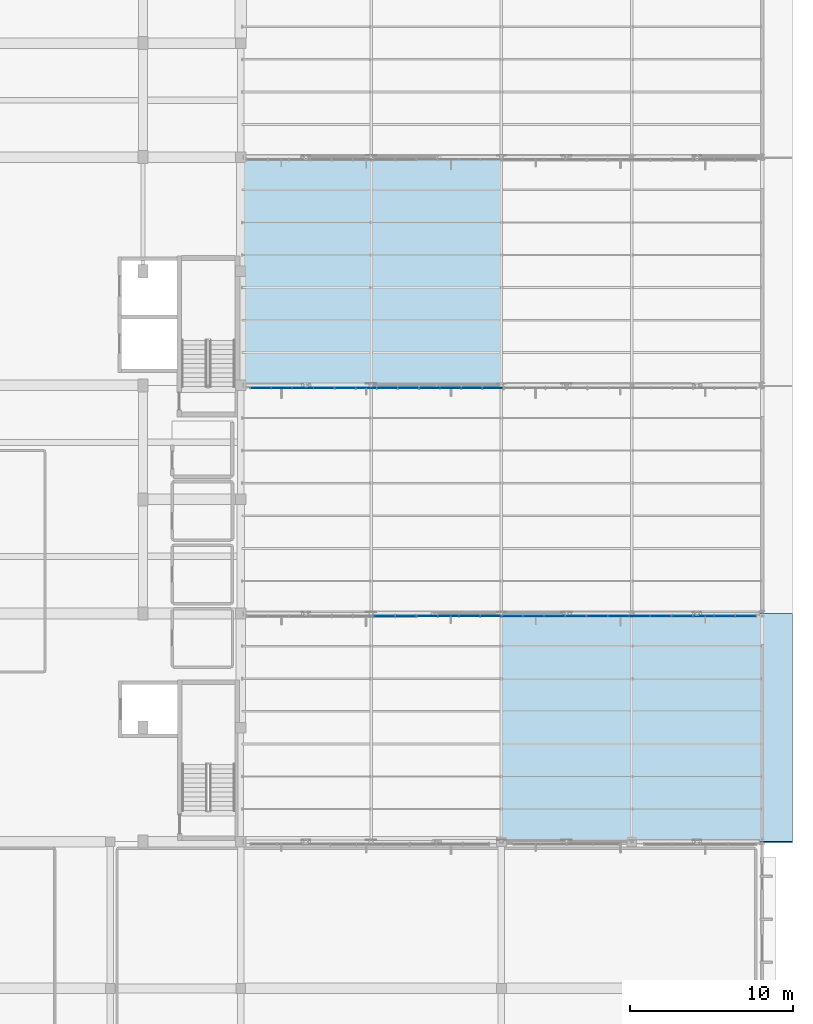
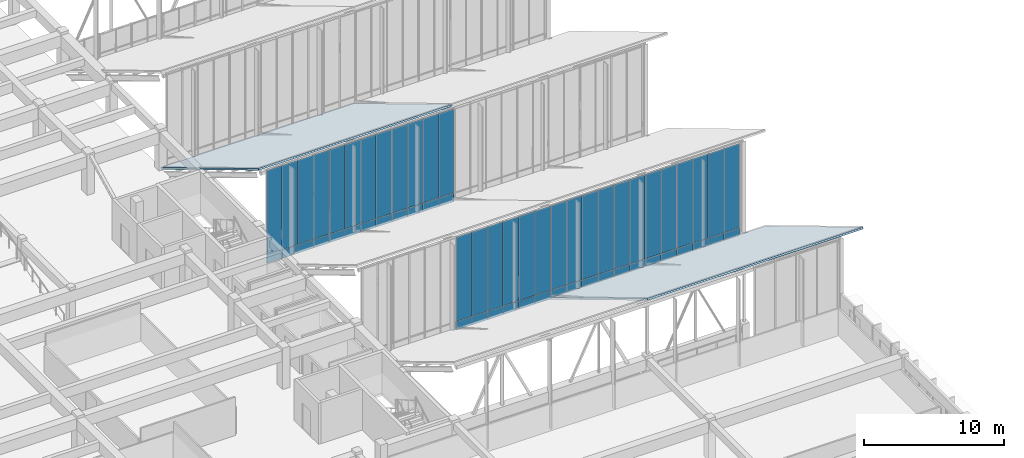
# One storey, part 79 of 155: 60 plates, 2 slabs, 10 elements without a shape of their own.
"""IFC4 building model written with IfcOpenShell, lengths in metres."""

from ifc_helpers import new_model, si_unit, direction, frame, origin, origin_2d, place, context, subcontext, project, spatial, polyline, rectangle, outline, extrude, material, layer, layer_set, type_object, element, aggregate, save


model = new_model("IFC4")

# Units and contexts
model_context = context("Model", 3, precision=1e-05, world=origin(), true_north=direction((0.0, 1.0)))
body_context = subcontext(model_context, "Body", "Model", "MODEL_VIEW")
ifc_project = project(units=[si_unit("LENGTHUNIT", "METRE"), si_unit("AREAUNIT", "SQUARE_METRE"), si_unit("VOLUMEUNIT", "CUBIC_METRE"), si_unit("PLANEANGLEUNIT", "RADIAN"), si_unit("MASSUNIT", "GRAM", prefix="KILO")], contexts=[model_context])

# Site, building, storey
site_placement = place(None, origin())
site = spatial("IfcSite", under=ifc_project, at=site_placement, CompositionType="ELEMENT")
building_placement = place(site_placement, origin())
building = spatial("IfcBuilding", under=site, at=building_placement, Name="Larkveld Mobility Hub", CompositionType="ELEMENT")
storey_placement = place(building_placement, frame((0.0, 0.0, 8.39990234375)))
storey = spatial("IfcBuildingStorey", under=building, at=storey_placement, Name="L02", CompositionType="ELEMENT", Elevation=8.39990234375)

# Curtain wall, plates
ifc_material_1 = material(Name="Anodised aluminium 6063-T6", Category="aluminium")
curtain_wall_type_1 = type_object("IfcCurtainWallType", Name="CW-SYS-04", PredefinedType="NOTDEFINED", material=ifc_material_1)
curtain_wall_1_placement = place(storey_placement, origin())
curtain_wall_1 = element("IfcCurtainWall", 1, at=curtain_wall_1_placement, inside=storey, type_object=curtain_wall_type_1, Name="Sawtooth South-Light Clerestory B2 CW-016", PredefinedType="NOTDEFINED")
ifc_material_2 = material(Name="Low-E laminated solar-control double glazing", Category="glass")
ifc_layer_1 = layer(ifc_material_2, 0.028076171875, Name="Low-E laminated solar-control double glazing", Category="glass")
ifc_layer_set_1 = layer_set([ifc_layer_1], Name="Low-E laminated solar-control double glazing")
plate_type_1 = type_object("IfcPlateType", Name="CW-PNL-GL01", PredefinedType="CURTAIN_PANEL", material=ifc_layer_set_1)
plate_1_placement = place(storey_placement, frame((163.445068359375, 41.844970703125, 0.75), z_axis=(0.0, 0.0, 1.0), x_axis=(1.0, 0.0, 0.0)))
plate_1 = element("IfcPlate", 2, at=plate_1_placement, type_object=plate_type_1, Name="CW04 panel 1", PredefinedType="CURTAIN_PANEL", context=body_context, shape_type="SweptSolid", body=[
    extrude(rectangle(XDim=1.27392578125, YDim=0.028076171875, at=origin_2d()), origin(), (0.0, 0.0, 1.0), 7.367919921875),
])
plate_2_placement = place(storey_placement, frame((164.739013671875, 41.844970703125, 0.75), z_axis=(0.0, 0.0, 1.0), x_axis=(1.0, 0.0, 0.0)))
plate_2 = element("IfcPlate", 3, at=plate_2_placement, type_object=plate_type_1, Name="CW04 panel 2", PredefinedType="CURTAIN_PANEL", context=body_context, shape_type="SweptSolid", body=[
    extrude(rectangle(XDim=1.2939453125, YDim=0.028076171875, at=origin_2d()), origin(), (0.0, 0.0, 1.0), 7.367919921875),
])
plate_3_placement = place(storey_placement, frame((166.04296875, 41.844970703125, 0.75), z_axis=(0.0, 0.0, 1.0), x_axis=(1.0, 0.0, 0.0)))
plate_3 = element("IfcPlate", 4, at=plate_3_placement, type_object=plate_type_1, Name="CW04 panel 3", PredefinedType="CURTAIN_PANEL", context=body_context, shape_type="SweptSolid", body=[
    extrude(rectangle(XDim=1.2939453125, YDim=0.028076171875, at=origin_2d()), origin(), (0.0, 0.0, 1.0), 7.367919921875),
])
plate_4_placement = place(storey_placement, frame((167.337890625, 41.844970703125, 0.75), z_axis=(0.0, 0.0, 1.0), x_axis=(1.0, 0.0, 0.0)))
plate_4 = element("IfcPlate", 5, at=plate_4_placement, type_object=plate_type_1, Name="CW04 panel 4", PredefinedType="CURTAIN_PANEL", context=body_context, shape_type="SweptSolid", body=[
    extrude(rectangle(XDim=1.27392578125, YDim=0.028076171875, at=origin_2d()), origin(), (0.0, 0.0, 1.0), 7.367919921875),
])

curtain_wall_type_2 = type_object("IfcCurtainWallType", Name="CW-SYS-07", PredefinedType="NOTDEFINED", material=ifc_material_1)
curtain_wall_2_placement = place(storey_placement, origin())
curtain_wall_2 = element("IfcCurtainWall", 6, at=curtain_wall_2_placement, inside=storey, type_object=curtain_wall_type_2, Name="Sawtooth South-Light Clerestory B2 CW-019", PredefinedType="NOTDEFINED")
plate_5_placement = place(storey_placement, frame((179.094970703125, 41.844970703125, 0.75), z_axis=(0.0, 0.0, 1.0), x_axis=(1.0, 0.0, 0.0)))
plate_5 = element("IfcPlate", 7, at=plate_5_placement, type_object=plate_type_1, Name="CW07 panel 1", PredefinedType="CURTAIN_PANEL", context=body_context, shape_type="SweptSolid", body=[
    extrude(rectangle(XDim=1.27392578125, YDim=0.028076171875, at=origin_2d()), origin(), (0.0, 0.0, 1.0), 7.367919921875),
])
plate_6_placement = place(storey_placement, frame((180.388916015625, 41.844970703125, 0.75), z_axis=(0.0, 0.0, 1.0), x_axis=(1.0, 0.0, 0.0)))
plate_6 = element("IfcPlate", 8, at=plate_6_placement, type_object=plate_type_1, Name="CW07 panel 2", PredefinedType="CURTAIN_PANEL", context=body_context, shape_type="SweptSolid", body=[
    extrude(rectangle(XDim=1.2939453125, YDim=0.028076171875, at=origin_2d()), origin(), (0.0, 0.0, 1.0), 7.367919921875),
])
plate_7_placement = place(storey_placement, frame((181.694091796875, 41.844970703125, 0.75), z_axis=(0.0, 0.0, 1.0), x_axis=(1.0, 0.0, 0.0)))
plate_7 = element("IfcPlate", 9, at=plate_7_placement, type_object=plate_type_1, Name="CW07 panel 3", PredefinedType="CURTAIN_PANEL", context=body_context, shape_type="SweptSolid", body=[
    extrude(rectangle(XDim=1.2939453125, YDim=0.028076171875, at=origin_2d()), origin(), (0.0, 0.0, 1.0), 7.367919921875),
])
plate_8_placement = place(storey_placement, frame((182.988037109375, 41.844970703125, 0.75), z_axis=(0.0, 0.0, 1.0), x_axis=(1.0, 0.0, 0.0)))
plate_8 = element("IfcPlate", 10, at=plate_8_placement, type_object=plate_type_1, Name="CW07 panel 4", PredefinedType="CURTAIN_PANEL", context=body_context, shape_type="SweptSolid", body=[
    extrude(rectangle(XDim=1.27392578125, YDim=0.028076171875, at=origin_2d()), origin(), (0.0, 0.0, 1.0), 7.367919921875),
])

curtain_wall_type_3 = type_object("IfcCurtainWallType", Name="CW-SYS-10", PredefinedType="NOTDEFINED", material=ifc_material_1)
curtain_wall_3_placement = place(storey_placement, origin())
curtain_wall_3 = element("IfcCurtainWall", 11, at=curtain_wall_3_placement, inside=storey, type_object=curtain_wall_type_3, Name="Sawtooth South-Light Clerestory B3 CW-022", PredefinedType="NOTDEFINED")
plate_9_placement = place(storey_placement, frame((163.594970703125, 55.844970703125, 0.75), z_axis=(0.0, 0.0, 1.0), x_axis=(1.0, 0.0, 0.0)))
plate_9 = element("IfcPlate", 12, at=plate_9_placement, type_object=plate_type_1, Name="CW10 panel 1", PredefinedType="CURTAIN_PANEL", context=body_context, shape_type="SweptSolid", body=[
    extrude(rectangle(XDim=1.264892578125, YDim=0.028076171875, at=origin_2d()), origin(), (0.0, 0.0, 1.0), 7.367919921875),
])
plate_10_placement = place(storey_placement, frame((164.87890625, 55.844970703125, 0.75), z_axis=(0.0, 0.0, 1.0), x_axis=(1.0, 0.0, 0.0)))
plate_10 = element("IfcPlate", 13, at=plate_10_placement, type_object=plate_type_1, Name="CW10 panel 2", PredefinedType="CURTAIN_PANEL", context=body_context, shape_type="SweptSolid", body=[
    extrude(rectangle(XDim=1.284912109375, YDim=0.028076171875, at=origin_2d()), origin(), (0.0, 0.0, 1.0), 7.367919921875),
])
plate_11_placement = place(storey_placement, frame((166.173095703125, 55.844970703125, 0.75), z_axis=(0.0, 0.0, 1.0), x_axis=(1.0, 0.0, 0.0)))
plate_11 = element("IfcPlate", 14, at=plate_11_placement, type_object=plate_type_1, Name="CW10 panel 3", PredefinedType="CURTAIN_PANEL", context=body_context, shape_type="SweptSolid", body=[
    extrude(rectangle(XDim=1.284912109375, YDim=0.028076171875, at=origin_2d()), origin(), (0.0, 0.0, 1.0), 7.367919921875),
])
plate_12_placement = place(storey_placement, frame((167.4580078125, 55.844970703125, 0.75), z_axis=(0.0, 0.0, 1.0), x_axis=(1.0, 0.0, 0.0)))
plate_12 = element("IfcPlate", 15, at=plate_12_placement, type_object=plate_type_1, Name="CW10 panel 4", PredefinedType="CURTAIN_PANEL", context=body_context, shape_type="SweptSolid", body=[
    extrude(rectangle(XDim=1.264892578125, YDim=0.028076171875, at=origin_2d()), origin(), (0.0, 0.0, 1.0), 7.367919921875),
])

curtain_wall_type_4 = type_object("IfcCurtainWallType", Name="CW-SYS-05", PredefinedType="NOTDEFINED", material=ifc_material_1)
curtain_wall_4_placement = place(storey_placement, origin())
curtain_wall_4 = element("IfcCurtainWall", 16, at=curtain_wall_4_placement, inside=storey, type_object=curtain_wall_type_4, Name="Sawtooth South-Light Clerestory B2 CW-017", PredefinedType="NOTDEFINED")
ifc_material_3 = material(Name="Acoustic solar-control laminated double glazing", Category="glass")
ifc_layer_2 = layer(ifc_material_3, 0.031982421875, Name="Acoustic solar-control laminated double glazing", Category="glass")
ifc_layer_set_2 = layer_set([ifc_layer_2], Name="Acoustic solar-control laminated double glazing")
plate_type_2 = type_object("IfcPlateType", Name="CW-PNL-GL02", PredefinedType="CURTAIN_PANEL", material=ifc_layer_set_2)
plate_13_placement = place(storey_placement, frame((168.662109375, 41.844970703125, 0.75), z_axis=(0.0, 0.0, 1.0), x_axis=(1.0, 0.0, 0.0)))
plate_13 = element("IfcPlate", 17, at=plate_13_placement, type_object=plate_type_2, Name="CW05 panel 1", PredefinedType="CURTAIN_PANEL", context=body_context, shape_type="SweptSolid", body=[
    extrude(rectangle(XDim=1.27392578125, YDim=0.031982421875, at=origin_2d()), origin(), (0.0, 0.0, 1.0), 7.367919921875),
])
plate_14_placement = place(storey_placement, frame((169.9560546875, 41.844970703125, 0.75), z_axis=(0.0, 0.0, 1.0), x_axis=(1.0, 0.0, 0.0)))
plate_14 = element("IfcPlate", 18, at=plate_14_placement, type_object=plate_type_2, Name="CW05 panel 2", PredefinedType="CURTAIN_PANEL", context=body_context, shape_type="SweptSolid", body=[
    extrude(rectangle(XDim=1.2939453125, YDim=0.031982421875, at=origin_2d()), origin(), (0.0, 0.0, 1.0), 7.367919921875),
])
plate_15_placement = place(storey_placement, frame((171.260009765625, 41.844970703125, 0.75), z_axis=(0.0, 0.0, 1.0), x_axis=(1.0, 0.0, 0.0)))
plate_15 = element("IfcPlate", 19, at=plate_15_placement, type_object=plate_type_2, Name="CW05 panel 3", PredefinedType="CURTAIN_PANEL", context=body_context, shape_type="SweptSolid", body=[
    extrude(rectangle(XDim=1.2939453125, YDim=0.031982421875, at=origin_2d()), origin(), (0.0, 0.0, 1.0), 7.367919921875),
])
plate_16_placement = place(storey_placement, frame((172.554931640625, 41.844970703125, 0.75), z_axis=(0.0, 0.0, 1.0), x_axis=(1.0, 0.0, 0.0)))
plate_16 = element("IfcPlate", 20, at=plate_16_placement, type_object=plate_type_2, Name="CW05 panel 4", PredefinedType="CURTAIN_PANEL", context=body_context, shape_type="SweptSolid", body=[
    extrude(rectangle(XDim=1.27392578125, YDim=0.031982421875, at=origin_2d()), origin(), (0.0, 0.0, 1.0), 7.367919921875),
])

curtain_wall_type_5 = type_object("IfcCurtainWallType", Name="CW-SYS-08", PredefinedType="NOTDEFINED", material=ifc_material_1)
curtain_wall_5_placement = place(storey_placement, origin())
curtain_wall_5 = element("IfcCurtainWall", 21, at=curtain_wall_5_placement, inside=storey, type_object=curtain_wall_type_5, Name="Sawtooth South-Light Clerestory B3 CW-020", PredefinedType="NOTDEFINED")
plate_17_placement = place(storey_placement, frame((153.238037109375, 55.844970703125, 0.75), z_axis=(0.0, 0.0, 1.0), x_axis=(1.0, 0.0, 0.0)))
plate_17 = element("IfcPlate", 22, at=plate_17_placement, type_object=plate_type_2, Name="CW08 panel 1", PredefinedType="CURTAIN_PANEL", context=body_context, shape_type="SweptSolid", body=[
    extrude(rectangle(XDim=1.264892578125, YDim=0.031982421875, at=origin_2d()), origin(), (0.0, 0.0, 1.0), 7.367919921875),
])
plate_18_placement = place(storey_placement, frame((154.52197265625, 55.844970703125, 0.75), z_axis=(0.0, 0.0, 1.0), x_axis=(1.0, 0.0, 0.0)))
plate_18 = element("IfcPlate", 23, at=plate_18_placement, type_object=plate_type_2, Name="CW08 panel 2", PredefinedType="CURTAIN_PANEL", context=body_context, shape_type="SweptSolid", body=[
    extrude(rectangle(XDim=1.284912109375, YDim=0.031982421875, at=origin_2d()), origin(), (0.0, 0.0, 1.0), 7.367919921875),
])
plate_19_placement = place(storey_placement, frame((155.81689453125, 55.844970703125, 0.75), z_axis=(0.0, 0.0, 1.0), x_axis=(1.0, 0.0, 0.0)))
plate_19 = element("IfcPlate", 24, at=plate_19_placement, type_object=plate_type_2, Name="CW08 panel 3", PredefinedType="CURTAIN_PANEL", context=body_context, shape_type="SweptSolid", body=[
    extrude(rectangle(XDim=1.284912109375, YDim=0.031982421875, at=origin_2d()), origin(), (0.0, 0.0, 1.0), 7.367919921875),
])
plate_20_placement = place(storey_placement, frame((157.10107421875, 55.844970703125, 0.75), z_axis=(0.0, 0.0, 1.0), x_axis=(1.0, 0.0, 0.0)))
plate_20 = element("IfcPlate", 25, at=plate_20_placement, type_object=plate_type_2, Name="CW08 panel 4", PredefinedType="CURTAIN_PANEL", context=body_context, shape_type="SweptSolid", body=[
    extrude(rectangle(XDim=1.264892578125, YDim=0.031982421875, at=origin_2d()), origin(), (0.0, 0.0, 1.0), 7.367919921875),
])

curtain_wall_type_6 = type_object("IfcCurtainWallType", Name="CW-SYS-03", PredefinedType="NOTDEFINED", material=ifc_material_1)
curtain_wall_6_placement = place(storey_placement, origin())
curtain_wall_6 = element("IfcCurtainWall", 26, at=curtain_wall_6_placement, inside=storey, type_object=curtain_wall_type_6, Name="Sawtooth South-Light Clerestory B2 CW-015", PredefinedType="NOTDEFINED")
ifc_material_4 = material(Name="Tinted safety double glazing", Category="glass")
ifc_layer_3 = layer(ifc_material_4, 0.035888671875, Name="Tinted safety double glazing", Category="glass")
ifc_layer_set_3 = layer_set([ifc_layer_3], Name="Tinted safety double glazing")
plate_type_3 = type_object("IfcPlateType", Name="CW-PNL-GL03", PredefinedType="CURTAIN_PANEL", material=ifc_layer_set_3)
plate_21_placement = place(storey_placement, frame((160.826904296875, 41.844970703125, 0.75), z_axis=(0.0, 0.0, 1.0), x_axis=(1.0, 0.0, 0.0)))
plate_21 = element("IfcPlate", 27, at=plate_21_placement, type_object=plate_type_3, Name="CW03 panel 3", PredefinedType="CURTAIN_PANEL", context=body_context, shape_type="SweptSolid", body=[
    extrude(rectangle(XDim=1.2939453125, YDim=0.035888671875, at=origin_2d()), origin(), (0.0, 0.0, 1.0), 7.367919921875),
])
plate_22_placement = place(storey_placement, frame((162.1220703125, 41.844970703125, 0.75), z_axis=(0.0, 0.0, 1.0), x_axis=(1.0, 0.0, 0.0)))
plate_22 = element("IfcPlate", 28, at=plate_22_placement, type_object=plate_type_3, Name="CW03 panel 4", PredefinedType="CURTAIN_PANEL", context=body_context, shape_type="SweptSolid", body=[
    extrude(rectangle(XDim=1.27392578125, YDim=0.035888671875, at=origin_2d()), origin(), (0.0, 0.0, 1.0), 7.367919921875),
])

curtain_wall_type_7 = type_object("IfcCurtainWallType", Name="CW-SYS-06", PredefinedType="NOTDEFINED", material=ifc_material_1)
curtain_wall_7_placement = place(storey_placement, origin())
curtain_wall_7 = element("IfcCurtainWall", 29, at=curtain_wall_7_placement, inside=storey, type_object=curtain_wall_type_7, Name="Sawtooth South-Light Clerestory B2 CW-018", PredefinedType="NOTDEFINED")
plate_23_placement = place(storey_placement, frame((173.87890625, 41.844970703125, 0.75), z_axis=(0.0, 0.0, 1.0), x_axis=(1.0, 0.0, 0.0)))
plate_23 = element("IfcPlate", 30, at=plate_23_placement, type_object=plate_type_3, Name="CW06 panel 1", PredefinedType="CURTAIN_PANEL", context=body_context, shape_type="SweptSolid", body=[
    extrude(rectangle(XDim=1.27392578125, YDim=0.035888671875, at=origin_2d()), origin(), (0.0, 0.0, 1.0), 7.367919921875),
])
plate_24_placement = place(storey_placement, frame((175.173095703125, 41.844970703125, 0.75), z_axis=(0.0, 0.0, 1.0), x_axis=(1.0, 0.0, 0.0)))
plate_24 = element("IfcPlate", 31, at=plate_24_placement, type_object=plate_type_3, Name="CW06 panel 2", PredefinedType="CURTAIN_PANEL", context=body_context, shape_type="SweptSolid", body=[
    extrude(rectangle(XDim=1.2939453125, YDim=0.035888671875, at=origin_2d()), origin(), (0.0, 0.0, 1.0), 7.367919921875),
])
plate_25_placement = place(storey_placement, frame((176.47802734375, 41.844970703125, 0.75), z_axis=(0.0, 0.0, 1.0), x_axis=(1.0, 0.0, 0.0)))
plate_25 = element("IfcPlate", 32, at=plate_25_placement, type_object=plate_type_3, Name="CW06 panel 3", PredefinedType="CURTAIN_PANEL", context=body_context, shape_type="SweptSolid", body=[
    extrude(rectangle(XDim=1.2939453125, YDim=0.035888671875, at=origin_2d()), origin(), (0.0, 0.0, 1.0), 7.367919921875),
])
plate_26_placement = place(storey_placement, frame((177.77197265625, 41.844970703125, 0.75), z_axis=(0.0, 0.0, 1.0), x_axis=(1.0, 0.0, 0.0)))
plate_26 = element("IfcPlate", 33, at=plate_26_placement, type_object=plate_type_3, Name="CW06 panel 4", PredefinedType="CURTAIN_PANEL", context=body_context, shape_type="SweptSolid", body=[
    extrude(rectangle(XDim=1.27392578125, YDim=0.035888671875, at=origin_2d()), origin(), (0.0, 0.0, 1.0), 7.367919921875),
])

curtain_wall_type_8 = type_object("IfcCurtainWallType", Name="CW-SYS-09", PredefinedType="NOTDEFINED", material=ifc_material_1)
curtain_wall_8_placement = place(storey_placement, origin())
curtain_wall_8 = element("IfcCurtainWall", 34, at=curtain_wall_8_placement, inside=storey, type_object=curtain_wall_type_8, Name="Sawtooth South-Light Clerestory B3 CW-021", PredefinedType="NOTDEFINED")
plate_27_placement = place(storey_placement, frame((158.416015625, 55.844970703125, 0.75), z_axis=(0.0, 0.0, 1.0), x_axis=(1.0, 0.0, 0.0)))
plate_27 = element("IfcPlate", 35, at=plate_27_placement, type_object=plate_type_3, Name="CW09 panel 1", PredefinedType="CURTAIN_PANEL", context=body_context, shape_type="SweptSolid", body=[
    extrude(rectangle(XDim=1.264892578125, YDim=0.035888671875, at=origin_2d()), origin(), (0.0, 0.0, 1.0), 7.367919921875),
])
plate_28_placement = place(storey_placement, frame((159.699951171875, 55.844970703125, 0.75), z_axis=(0.0, 0.0, 1.0), x_axis=(1.0, 0.0, 0.0)))
plate_28 = element("IfcPlate", 36, at=plate_28_placement, type_object=plate_type_3, Name="CW09 panel 2", PredefinedType="CURTAIN_PANEL", context=body_context, shape_type="SweptSolid", body=[
    extrude(rectangle(XDim=1.284912109375, YDim=0.035888671875, at=origin_2d()), origin(), (0.0, 0.0, 1.0), 7.367919921875),
])
plate_29_placement = place(storey_placement, frame((160.9951171875, 55.844970703125, 0.75), z_axis=(0.0, 0.0, 1.0), x_axis=(1.0, 0.0, 0.0)))
plate_29 = element("IfcPlate", 37, at=plate_29_placement, type_object=plate_type_3, Name="CW09 panel 3", PredefinedType="CURTAIN_PANEL", context=body_context, shape_type="SweptSolid", body=[
    extrude(rectangle(XDim=1.284912109375, YDim=0.035888671875, at=origin_2d()), origin(), (0.0, 0.0, 1.0), 7.367919921875),
])
plate_30_placement = place(storey_placement, frame((162.279052734375, 55.844970703125, 0.75), z_axis=(0.0, 0.0, 1.0), x_axis=(1.0, 0.0, 0.0)))
plate_30 = element("IfcPlate", 38, at=plate_30_placement, type_object=plate_type_3, Name="CW09 panel 4", PredefinedType="CURTAIN_PANEL", context=body_context, shape_type="SweptSolid", body=[
    extrude(rectangle(XDim=1.264892578125, YDim=0.035888671875, at=origin_2d()), origin(), (0.0, 0.0, 1.0), 7.367919921875),
])

# Plate
ifc_material_5 = material(Name="Insulated fluoropolymer aluminium spandrel", Category="aluminium")
ifc_layer_4 = layer(ifc_material_5, 0.06494140625, Name="Insulated fluoropolymer aluminium spandrel", Category="aluminium")
ifc_layer_set_4 = layer_set([ifc_layer_4], Name="Insulated fluoropolymer aluminium spandrel")
plate_type_4 = type_object("IfcPlateType", Name="CW-PNL-SP01", PredefinedType="CURTAIN_PANEL", material=ifc_layer_set_4)
plate_31_placement = place(storey_placement, frame((160.826904296875, 41.844970703125, 0.0), z_axis=(0.0, 0.0, 1.0), x_axis=(1.0, 0.0, 0.0)))
plate_31 = element("IfcPlate", 39, at=plate_31_placement, type_object=plate_type_4, Name="CW03 spandrel 3", PredefinedType="CURTAIN_PANEL", context=body_context, shape_type="SweptSolid", body=[
    extrude(rectangle(XDim=1.2939453125, YDim=0.06494140625, at=origin_2d()), origin(), (0.0, 0.0, 1.0), 0.738037109375),
])

plate_32_placement = place(storey_placement, frame((162.1220703125, 41.844970703125, 0.0), z_axis=(0.0, 0.0, 1.0), x_axis=(1.0, 0.0, 0.0)))
plate_32 = element("IfcPlate", 40, at=plate_32_placement, type_object=plate_type_4, Name="CW03 spandrel 4", PredefinedType="CURTAIN_PANEL", context=body_context, shape_type="SweptSolid", body=[
    extrude(rectangle(XDim=1.27392578125, YDim=0.06494140625, at=origin_2d()), origin(), (0.0, 0.0, 1.0), 0.738037109375),
])

aggregate(curtain_wall_6, [plate_31, plate_21, plate_32, plate_22])

plate_33_placement = place(storey_placement, frame((168.662109375, 41.844970703125, 0.0), z_axis=(0.0, 0.0, 1.0), x_axis=(1.0, 0.0, 0.0)))
plate_33 = element("IfcPlate", 41, at=plate_33_placement, type_object=plate_type_4, Name="CW05 spandrel 1", PredefinedType="CURTAIN_PANEL", context=body_context, shape_type="SweptSolid", body=[
    extrude(rectangle(XDim=1.27392578125, YDim=0.06494140625, at=origin_2d()), origin(), (0.0, 0.0, 1.0), 0.738037109375),
])

plate_34_placement = place(storey_placement, frame((169.9560546875, 41.844970703125, 0.0), z_axis=(0.0, 0.0, 1.0), x_axis=(1.0, 0.0, 0.0)))
plate_34 = element("IfcPlate", 42, at=plate_34_placement, type_object=plate_type_4, Name="CW05 spandrel 2", PredefinedType="CURTAIN_PANEL", context=body_context, shape_type="SweptSolid", body=[
    extrude(rectangle(XDim=1.2939453125, YDim=0.06494140625, at=origin_2d()), origin(), (0.0, 0.0, 1.0), 0.738037109375),
])

plate_35_placement = place(storey_placement, frame((171.260009765625, 41.844970703125, 0.0), z_axis=(0.0, 0.0, 1.0), x_axis=(1.0, 0.0, 0.0)))
plate_35 = element("IfcPlate", 43, at=plate_35_placement, type_object=plate_type_4, Name="CW05 spandrel 3", PredefinedType="CURTAIN_PANEL", context=body_context, shape_type="SweptSolid", body=[
    extrude(rectangle(XDim=1.2939453125, YDim=0.06494140625, at=origin_2d()), origin(), (0.0, 0.0, 1.0), 0.738037109375),
])

plate_36_placement = place(storey_placement, frame((172.554931640625, 41.844970703125, 0.0), z_axis=(0.0, 0.0, 1.0), x_axis=(1.0, 0.0, 0.0)))
plate_36 = element("IfcPlate", 44, at=plate_36_placement, type_object=plate_type_4, Name="CW05 spandrel 4", PredefinedType="CURTAIN_PANEL", context=body_context, shape_type="SweptSolid", body=[
    extrude(rectangle(XDim=1.27392578125, YDim=0.06494140625, at=origin_2d()), origin(), (0.0, 0.0, 1.0), 0.738037109375),
])

aggregate(curtain_wall_4, [plate_33, plate_13, plate_34, plate_14, plate_35, plate_15, plate_36, plate_16])

plate_37_placement = place(storey_placement, frame((179.094970703125, 41.844970703125, 0.0), z_axis=(0.0, 0.0, 1.0), x_axis=(1.0, 0.0, 0.0)))
plate_37 = element("IfcPlate", 45, at=plate_37_placement, type_object=plate_type_4, Name="CW07 spandrel 1", PredefinedType="CURTAIN_PANEL", context=body_context, shape_type="SweptSolid", body=[
    extrude(rectangle(XDim=1.27392578125, YDim=0.06494140625, at=origin_2d()), origin(), (0.0, 0.0, 1.0), 0.738037109375),
])

plate_38_placement = place(storey_placement, frame((180.388916015625, 41.844970703125, 0.0), z_axis=(0.0, 0.0, 1.0), x_axis=(1.0, 0.0, 0.0)))
plate_38 = element("IfcPlate", 46, at=plate_38_placement, type_object=plate_type_4, Name="CW07 spandrel 2", PredefinedType="CURTAIN_PANEL", context=body_context, shape_type="SweptSolid", body=[
    extrude(rectangle(XDim=1.2939453125, YDim=0.06494140625, at=origin_2d()), origin(), (0.0, 0.0, 1.0), 0.738037109375),
])

plate_39_placement = place(storey_placement, frame((181.694091796875, 41.844970703125, 0.0), z_axis=(0.0, 0.0, 1.0), x_axis=(1.0, 0.0, 0.0)))
plate_39 = element("IfcPlate", 47, at=plate_39_placement, type_object=plate_type_4, Name="CW07 spandrel 3", PredefinedType="CURTAIN_PANEL", context=body_context, shape_type="SweptSolid", body=[
    extrude(rectangle(XDim=1.2939453125, YDim=0.06494140625, at=origin_2d()), origin(), (0.0, 0.0, 1.0), 0.738037109375),
])

plate_40_placement = place(storey_placement, frame((182.988037109375, 41.844970703125, 0.0), z_axis=(0.0, 0.0, 1.0), x_axis=(1.0, 0.0, 0.0)))
plate_40 = element("IfcPlate", 48, at=plate_40_placement, type_object=plate_type_4, Name="CW07 spandrel 4", PredefinedType="CURTAIN_PANEL", context=body_context, shape_type="SweptSolid", body=[
    extrude(rectangle(XDim=1.27392578125, YDim=0.06494140625, at=origin_2d()), origin(), (0.0, 0.0, 1.0), 0.738037109375),
])

aggregate(curtain_wall_2, [plate_37, plate_5, plate_38, plate_6, plate_39, plate_7, plate_40, plate_8])

plate_41_placement = place(storey_placement, frame((158.416015625, 55.844970703125, 0.0), z_axis=(0.0, 0.0, 1.0), x_axis=(1.0, 0.0, 0.0)))
plate_41 = element("IfcPlate", 49, at=plate_41_placement, type_object=plate_type_4, Name="CW09 spandrel 1", PredefinedType="CURTAIN_PANEL", context=body_context, shape_type="SweptSolid", body=[
    extrude(rectangle(XDim=1.264892578125, YDim=0.06494140625, at=origin_2d()), origin(), (0.0, 0.0, 1.0), 0.738037109375),
])

plate_42_placement = place(storey_placement, frame((159.699951171875, 55.844970703125, 0.0), z_axis=(0.0, 0.0, 1.0), x_axis=(1.0, 0.0, 0.0)))
plate_42 = element("IfcPlate", 50, at=plate_42_placement, type_object=plate_type_4, Name="CW09 spandrel 2", PredefinedType="CURTAIN_PANEL", context=body_context, shape_type="SweptSolid", body=[
    extrude(rectangle(XDim=1.284912109375, YDim=0.06494140625, at=origin_2d()), origin(), (0.0, 0.0, 1.0), 0.738037109375),
])

plate_43_placement = place(storey_placement, frame((160.9951171875, 55.844970703125, 0.0), z_axis=(0.0, 0.0, 1.0), x_axis=(1.0, 0.0, 0.0)))
plate_43 = element("IfcPlate", 51, at=plate_43_placement, type_object=plate_type_4, Name="CW09 spandrel 3", PredefinedType="CURTAIN_PANEL", context=body_context, shape_type="SweptSolid", body=[
    extrude(rectangle(XDim=1.284912109375, YDim=0.06494140625, at=origin_2d()), origin(), (0.0, 0.0, 1.0), 0.738037109375),
])

plate_44_placement = place(storey_placement, frame((162.279052734375, 55.844970703125, 0.0), z_axis=(0.0, 0.0, 1.0), x_axis=(1.0, 0.0, 0.0)))
plate_44 = element("IfcPlate", 52, at=plate_44_placement, type_object=plate_type_4, Name="CW09 spandrel 4", PredefinedType="CURTAIN_PANEL", context=body_context, shape_type="SweptSolid", body=[
    extrude(rectangle(XDim=1.264892578125, YDim=0.06494140625, at=origin_2d()), origin(), (0.0, 0.0, 1.0), 0.738037109375),
])

aggregate(curtain_wall_8, [plate_41, plate_27, plate_42, plate_28, plate_43, plate_29, plate_44, plate_30])

ifc_material_6 = material(Name="Insulated terracotta-toned aluminium spandrel", Category="masonry")
ifc_layer_5 = layer(ifc_material_6, 0.080078125, Name="Insulated terracotta-toned aluminium spandrel", Category="masonry")
ifc_layer_set_5 = layer_set([ifc_layer_5], Name="Insulated terracotta-toned aluminium spandrel")
plate_type_5 = type_object("IfcPlateType", Name="CW-PNL-SP02", PredefinedType="CURTAIN_PANEL", material=ifc_layer_set_5)
plate_45_placement = place(storey_placement, frame((163.445068359375, 41.844970703125, 0.0), z_axis=(0.0, 0.0, 1.0), x_axis=(1.0, 0.0, 0.0)))
plate_45 = element("IfcPlate", 53, at=plate_45_placement, type_object=plate_type_5, Name="CW04 spandrel 1", PredefinedType="CURTAIN_PANEL", context=body_context, shape_type="SweptSolid", body=[
    extrude(rectangle(XDim=1.27392578125, YDim=0.080078125, at=origin_2d()), origin(), (0.0, 0.0, 1.0), 0.738037109375),
])

plate_46_placement = place(storey_placement, frame((164.739013671875, 41.844970703125, 0.0), z_axis=(0.0, 0.0, 1.0), x_axis=(1.0, 0.0, 0.0)))
plate_46 = element("IfcPlate", 54, at=plate_46_placement, type_object=plate_type_5, Name="CW04 spandrel 2", PredefinedType="CURTAIN_PANEL", context=body_context, shape_type="SweptSolid", body=[
    extrude(rectangle(XDim=1.2939453125, YDim=0.080078125, at=origin_2d()), origin(), (0.0, 0.0, 1.0), 0.738037109375),
])

plate_47_placement = place(storey_placement, frame((166.04296875, 41.844970703125, 0.0), z_axis=(0.0, 0.0, 1.0), x_axis=(1.0, 0.0, 0.0)))
plate_47 = element("IfcPlate", 55, at=plate_47_placement, type_object=plate_type_5, Name="CW04 spandrel 3", PredefinedType="CURTAIN_PANEL", context=body_context, shape_type="SweptSolid", body=[
    extrude(rectangle(XDim=1.2939453125, YDim=0.080078125, at=origin_2d()), origin(), (0.0, 0.0, 1.0), 0.738037109375),
])

plate_48_placement = place(storey_placement, frame((167.337890625, 41.844970703125, 0.0), z_axis=(0.0, 0.0, 1.0), x_axis=(1.0, 0.0, 0.0)))
plate_48 = element("IfcPlate", 56, at=plate_48_placement, type_object=plate_type_5, Name="CW04 spandrel 4", PredefinedType="CURTAIN_PANEL", context=body_context, shape_type="SweptSolid", body=[
    extrude(rectangle(XDim=1.27392578125, YDim=0.080078125, at=origin_2d()), origin(), (0.0, 0.0, 1.0), 0.738037109375),
])

aggregate(curtain_wall_1, [plate_45, plate_1, plate_46, plate_2, plate_47, plate_3, plate_48, plate_4])

plate_49_placement = place(storey_placement, frame((173.87890625, 41.844970703125, 0.0), z_axis=(0.0, 0.0, 1.0), x_axis=(1.0, 0.0, 0.0)))
plate_49 = element("IfcPlate", 57, at=plate_49_placement, type_object=plate_type_5, Name="CW06 spandrel 1", PredefinedType="CURTAIN_PANEL", context=body_context, shape_type="SweptSolid", body=[
    extrude(rectangle(XDim=1.27392578125, YDim=0.080078125, at=origin_2d()), origin(), (0.0, 0.0, 1.0), 0.738037109375),
])

plate_50_placement = place(storey_placement, frame((175.173095703125, 41.844970703125, 0.0), z_axis=(0.0, 0.0, 1.0), x_axis=(1.0, 0.0, 0.0)))
plate_50 = element("IfcPlate", 58, at=plate_50_placement, type_object=plate_type_5, Name="CW06 spandrel 2", PredefinedType="CURTAIN_PANEL", context=body_context, shape_type="SweptSolid", body=[
    extrude(rectangle(XDim=1.2939453125, YDim=0.080078125, at=origin_2d()), origin(), (0.0, 0.0, 1.0), 0.738037109375),
])

plate_51_placement = place(storey_placement, frame((176.47802734375, 41.844970703125, 0.0), z_axis=(0.0, 0.0, 1.0), x_axis=(1.0, 0.0, 0.0)))
plate_51 = element("IfcPlate", 59, at=plate_51_placement, type_object=plate_type_5, Name="CW06 spandrel 3", PredefinedType="CURTAIN_PANEL", context=body_context, shape_type="SweptSolid", body=[
    extrude(rectangle(XDim=1.2939453125, YDim=0.080078125, at=origin_2d()), origin(), (0.0, 0.0, 1.0), 0.738037109375),
])

plate_52_placement = place(storey_placement, frame((177.77197265625, 41.844970703125, 0.0), z_axis=(0.0, 0.0, 1.0), x_axis=(1.0, 0.0, 0.0)))
plate_52 = element("IfcPlate", 60, at=plate_52_placement, type_object=plate_type_5, Name="CW06 spandrel 4", PredefinedType="CURTAIN_PANEL", context=body_context, shape_type="SweptSolid", body=[
    extrude(rectangle(XDim=1.27392578125, YDim=0.080078125, at=origin_2d()), origin(), (0.0, 0.0, 1.0), 0.738037109375),
])

aggregate(curtain_wall_7, [plate_49, plate_23, plate_50, plate_24, plate_51, plate_25, plate_52, plate_26])

plate_53_placement = place(storey_placement, frame((153.238037109375, 55.844970703125, 0.0), z_axis=(0.0, 0.0, 1.0), x_axis=(1.0, 0.0, 0.0)))
plate_53 = element("IfcPlate", 61, at=plate_53_placement, type_object=plate_type_5, Name="CW08 spandrel 1", PredefinedType="CURTAIN_PANEL", context=body_context, shape_type="SweptSolid", body=[
    extrude(rectangle(XDim=1.264892578125, YDim=0.080078125, at=origin_2d()), origin(), (0.0, 0.0, 1.0), 0.738037109375),
])

plate_54_placement = place(storey_placement, frame((154.52197265625, 55.844970703125, 0.0), z_axis=(0.0, 0.0, 1.0), x_axis=(1.0, 0.0, 0.0)))
plate_54 = element("IfcPlate", 62, at=plate_54_placement, type_object=plate_type_5, Name="CW08 spandrel 2", PredefinedType="CURTAIN_PANEL", context=body_context, shape_type="SweptSolid", body=[
    extrude(rectangle(XDim=1.284912109375, YDim=0.080078125, at=origin_2d()), origin(), (0.0, 0.0, 1.0), 0.738037109375),
])

plate_55_placement = place(storey_placement, frame((155.81689453125, 55.844970703125, 0.0), z_axis=(0.0, 0.0, 1.0), x_axis=(1.0, 0.0, 0.0)))
plate_55 = element("IfcPlate", 63, at=plate_55_placement, type_object=plate_type_5, Name="CW08 spandrel 3", PredefinedType="CURTAIN_PANEL", context=body_context, shape_type="SweptSolid", body=[
    extrude(rectangle(XDim=1.284912109375, YDim=0.080078125, at=origin_2d()), origin(), (0.0, 0.0, 1.0), 0.738037109375),
])

plate_56_placement = place(storey_placement, frame((157.10107421875, 55.844970703125, 0.0), z_axis=(0.0, 0.0, 1.0), x_axis=(1.0, 0.0, 0.0)))
plate_56 = element("IfcPlate", 64, at=plate_56_placement, type_object=plate_type_5, Name="CW08 spandrel 4", PredefinedType="CURTAIN_PANEL", context=body_context, shape_type="SweptSolid", body=[
    extrude(rectangle(XDim=1.264892578125, YDim=0.080078125, at=origin_2d()), origin(), (0.0, 0.0, 1.0), 0.738037109375),
])

aggregate(curtain_wall_5, [plate_53, plate_17, plate_54, plate_18, plate_55, plate_19, plate_56, plate_20])

plate_57_placement = place(storey_placement, frame((163.594970703125, 55.844970703125, 0.0), z_axis=(0.0, 0.0, 1.0), x_axis=(1.0, 0.0, 0.0)))
plate_57 = element("IfcPlate", 65, at=plate_57_placement, type_object=plate_type_5, Name="CW10 spandrel 1", PredefinedType="CURTAIN_PANEL", context=body_context, shape_type="SweptSolid", body=[
    extrude(rectangle(XDim=1.264892578125, YDim=0.080078125, at=origin_2d()), origin(), (0.0, 0.0, 1.0), 0.738037109375),
])

plate_58_placement = place(storey_placement, frame((164.87890625, 55.844970703125, 0.0), z_axis=(0.0, 0.0, 1.0), x_axis=(1.0, 0.0, 0.0)))
plate_58 = element("IfcPlate", 66, at=plate_58_placement, type_object=plate_type_5, Name="CW10 spandrel 2", PredefinedType="CURTAIN_PANEL", context=body_context, shape_type="SweptSolid", body=[
    extrude(rectangle(XDim=1.284912109375, YDim=0.080078125, at=origin_2d()), origin(), (0.0, 0.0, 1.0), 0.738037109375),
])

plate_59_placement = place(storey_placement, frame((166.173095703125, 55.844970703125, 0.0), z_axis=(0.0, 0.0, 1.0), x_axis=(1.0, 0.0, 0.0)))
plate_59 = element("IfcPlate", 67, at=plate_59_placement, type_object=plate_type_5, Name="CW10 spandrel 3", PredefinedType="CURTAIN_PANEL", context=body_context, shape_type="SweptSolid", body=[
    extrude(rectangle(XDim=1.284912109375, YDim=0.080078125, at=origin_2d()), origin(), (0.0, 0.0, 1.0), 0.738037109375),
])

plate_60_placement = place(storey_placement, frame((167.4580078125, 55.844970703125, 0.0), z_axis=(0.0, 0.0, 1.0), x_axis=(1.0, 0.0, 0.0)))
plate_60 = element("IfcPlate", 68, at=plate_60_placement, type_object=plate_type_5, Name="CW10 spandrel 4", PredefinedType="CURTAIN_PANEL", context=body_context, shape_type="SweptSolid", body=[
    extrude(rectangle(XDim=1.264892578125, YDim=0.080078125, at=origin_2d()), origin(), (0.0, 0.0, 1.0), 0.738037109375),
])

aggregate(curtain_wall_3, [plate_57, plate_9, plate_58, plate_10, plate_59, plate_11, plate_60, plate_12])

# Roof, slab
ifc_material_7 = material(Name="Steel S355JR", Category="steel")
roof_type = type_object("IfcRoofType", Name="ROF-SAW-01", PredefinedType="SHED_ROOF", material=ifc_material_7)
roof_1_placement = place(storey_placement, origin())
roof_1 = element("IfcRoof", 69, at=roof_1_placement, inside=storey, type_object=roof_type, Name="Sawtooth South-Light Roof Bay 1", PredefinedType="SHED_ROOF")
ifc_material_8 = material(Name="Precast concrete C50/60", Category="concrete")
ifc_layer_6 = layer(ifc_material_8, 0.139892578125, Name="Precast concrete C50/60", Category="concrete")
ifc_layer_set_6 = layer_set([ifc_layer_6], Name="Precast concrete C50/60")
slab_type = type_object("IfcSlabType", Name="SL-RF-SAW140", PredefinedType="ROOF", material=ifc_layer_set_6)
slab_1_placement = place(storey_placement, frame((168.0, 28.0, 8.400146484375), z_axis=(0.0, 0.51450235251, 0.857488967429), x_axis=(1.0, 0.0, 0.0)))
slab_1 = element("IfcSlab", 70, at=slab_1_placement, type_object=slab_type, Name="Sawtooth North-Sloped Roof Slab B1.2", PredefinedType="ROOF", context=body_context, shape_type="SweptSolid", body=[
    extrude(outline(polyline([(0.0, 0.0), (17.85009765625, 0.0), (17.85009765625, 16.3267406716392), (0.0, 16.3267406716392), (0.0, 0.0)])), origin(), (0.0, 0.0, -1.0), 0.139892578125),
])
aggregate(roof_1, [slab_1])

roof_2_placement = place(storey_placement, origin())
roof_2 = element("IfcRoof", 71, at=roof_2_placement, inside=storey, type_object=roof_type, Name="Sawtooth South-Light Roof Bay 3", PredefinedType="SHED_ROOF")
slab_2_placement = place(storey_placement, frame((152.0, 56.0, 8.400146484375), z_axis=(0.0, 0.51450235251, 0.857488967429), x_axis=(1.0, 0.0, 0.0)))
slab_2 = element("IfcSlab", 72, at=slab_2_placement, type_object=slab_type, Name="Sawtooth North-Sloped Roof Slab B3.1", PredefinedType="ROOF", context=body_context, shape_type="SweptSolid", body=[
    extrude(outline(polyline([(0.0, 0.0), (16.0, 0.0), (16.0, 16.326740671639204), (0.0, 16.326740671639204), (0.0, 0.0)])), origin(), (0.0, 0.0, -1.0), 0.139892578125),
])
aggregate(roof_2, [slab_2])

save(model, "model.ifc")
